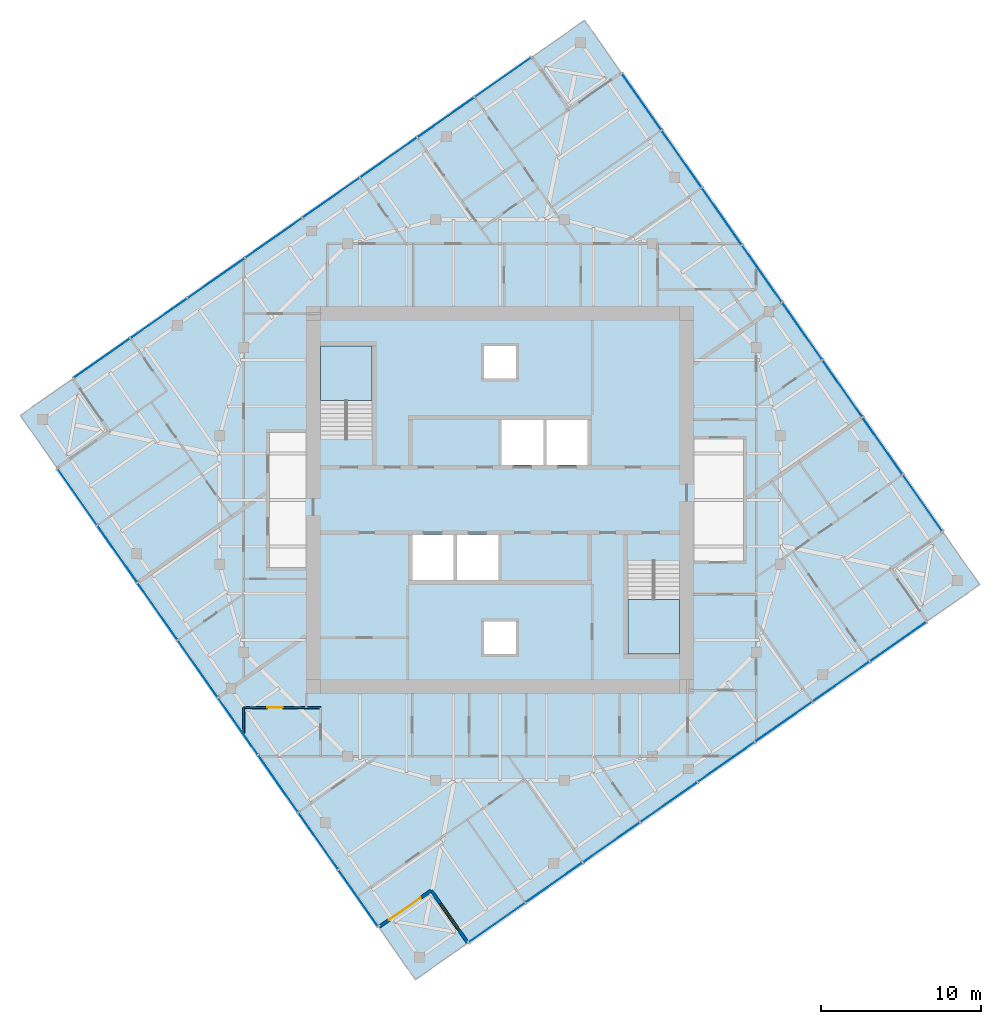
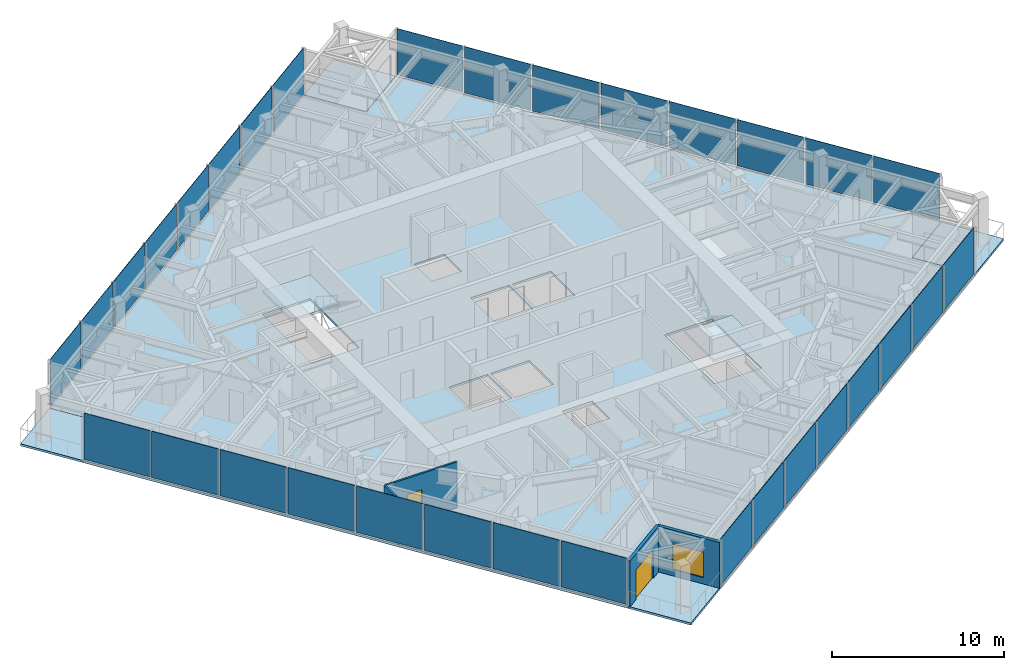
# One storey, part 6 of 12: 32 plates, 7 slabs, 4 walls, 2 doors, 1 window, 3 openings, 6 elements without a shape of their own.
"""IFC4 building model written with IfcOpenShell, lengths in metres."""

from ifc_helpers import new_model, si_unit, direction, frame, frame_2d, origin, origin_2d, place, context, subcontext, project, spatial, polyline, rectangle, outline, extrude, material, layer, layer_set, type_object, element, fill, aggregate, save


model = new_model("IFC4")

# Units and contexts
model_context = context("Model", 3, precision=1e-05, world=origin(), true_north=direction((0.0, 1.0)))
body_context = subcontext(model_context, "Body", "Model", "MODEL_VIEW")
ifc_project = project(units=[si_unit("LENGTHUNIT", "METRE"), si_unit("AREAUNIT", "SQUARE_METRE"), si_unit("VOLUMEUNIT", "CUBIC_METRE"), si_unit("PLANEANGLEUNIT", "RADIAN"), si_unit("MASSUNIT", "GRAM", prefix="KILO")], contexts=[model_context])

# Site, building, storey
site_placement = place(None, origin())
site = spatial("IfcSite", under=ifc_project, at=site_placement, CompositionType="ELEMENT")
building_placement = place(site_placement, origin())
building = spatial("IfcBuilding", under=site, at=building_placement, Name="Torsade Residences", CompositionType="ELEMENT")
storey_placement = place(building_placement, frame((0.0, 0.0, 254.0)))
storey = spatial("IfcBuildingStorey", under=building, at=storey_placement, Name="L70", CompositionType="ELEMENT", Elevation=254.0)

# Slab
ifc_material_1 = material(Name="Concrete 40 MPa", Category="concrete")
ifc_layer_1 = layer(ifc_material_1, 0.14990234375)
ifc_layer_set_1 = layer_set([ifc_layer_1], Name="Concrete 40 MPa")
slab_type_1 = type_object("IfcSlabType", Name="COMPOSITE FLOOR SLAB 150", PredefinedType="FLOOR", material=ifc_layer_set_1)
slab_1_placement = place(storey_placement, frame((0.0, 0.0, -0.14990234375)))
element("IfcSlab", 1, at=slab_1_placement, inside=storey, type_object=slab_type_1, Name="Floor slab L70", PredefinedType="FLOOR", context=body_context, shape_type="SweptSolid", body=[
    extrude(outline(polyline([(37.996826171875, 2.3505859375), (66.6669921875, 22.42578125), (64.372802734375, 25.702392578125), (67.6494140625, 27.996826171875), (47.57421875, 56.6669921875), (44.297607421875, 54.372802734375), (42.003173828125, 57.6494140625), (13.3330078125, 37.57421875), (15.627197265625, 34.297607421875), (12.3505859375, 32.003173828125), (32.42578125, 3.3330078125), (35.702392578125, 5.627197265625), (37.996826171875, 2.3505859375)]), holes=[polyline([(51.199951171875, 26.1201171875), (48.0, 26.1201171875), (48.0, 20.39990234375), (51.199951171875, 20.39990234375), (51.199951171875, 26.1201171875)]), polyline([(45.5, 35.0), (42.89990234375, 35.0), (42.89990234375, 32.199951171875), (45.5, 32.199951171875), (45.5, 35.0)]), polyline([(42.699951171875, 35.0), (40.10009765625, 35.0), (40.10009765625, 32.199951171875), (42.699951171875, 32.199951171875), (42.699951171875, 35.0)]), polyline([(41.0, 22.39990234375), (39.0, 22.39990234375), (39.0, 20.39990234375), (41.0, 20.39990234375), (41.0, 22.39990234375)]), polyline([(41.0, 39.60009765625), (39.0, 39.60009765625), (39.0, 37.60009765625), (41.0, 37.60009765625), (41.0, 39.60009765625)]), polyline([(39.89990234375, 27.800048828125), (37.300048828125, 27.800048828125), (37.300048828125, 25.0), (39.89990234375, 25.0), (39.89990234375, 27.800048828125)]), polyline([(37.10009765625, 27.800048828125), (34.5, 27.800048828125), (34.5, 25.0), (37.10009765625, 25.0), (37.10009765625, 27.800048828125)]), polyline([(32.0, 39.60009765625), (28.800048828125, 39.60009765625), (28.800048828125, 33.8798828125), (32.0, 33.8798828125), (32.0, 39.60009765625)])]), origin(), (0.0, 0.0, 1.0), 0.14990234375),
])

# Curtain wall, plates
ifc_material_2 = material(Name="Aluminium and glass", Category="aluminium")
curtain_wall_type = type_object("IfcCurtainWallType", Name="FRITTED GLASS CURTAIN WALL HIGH ZONE", PredefinedType="NOTDEFINED", material=ifc_material_2)
curtain_wall_1_placement = place(storey_placement, origin())
curtain_wall_1 = element("IfcCurtainWall", 2, at=curtain_wall_1_placement, inside=storey, type_object=curtain_wall_type, Name="Curtain wall L70 face 1", PredefinedType="NOTDEFINED")
ifc_material_3 = material(Name="Laminated glass", Category="glass")
ifc_layer_2 = layer(ifc_material_3, 0.031982421875)
ifc_layer_set_2 = layer_set([ifc_layer_2], Name="Laminated glass")
plate_type_1 = type_object("IfcPlateType", Name="FRITTED GLASS PANEL", PredefinedType="CURTAIN_PANEL", material=ifc_layer_set_2)
plate_1_placement = place(storey_placement, frame((39.80908203125, 3.61962890625, 0.1201171875), z_axis=(0.0, 0.0, 1.0), x_axis=(0.819152029353, 0.573576457682, 0.0)))
plate_1 = element("IfcPlate", 3, at=plate_1_placement, type_object=plate_type_1, Name="Panel 1", PredefinedType="CURTAIN_PANEL", context=body_context, shape_type="SweptSolid", body=[
    extrude(rectangle(XDim=4.22509765625, YDim=0.031982421875, at=origin_2d()), origin(), (0.0, 0.0, 1.0), 3.280029296875),
])
plate_2_placement = place(storey_placement, frame((46.956298828125, 8.6240234375, 0.1201171875), z_axis=(0.0, 0.0, 1.0), x_axis=(0.819152029353, 0.573576457682, 0.0)))
plate_2 = element("IfcPlate", 4, at=plate_2_placement, type_object=plate_type_1, Name="Panel 3", PredefinedType="CURTAIN_PANEL", context=body_context, shape_type="SweptSolid", body=[
    extrude(rectangle(XDim=4.27490234375, YDim=0.031982421875, at=origin_2d()), origin(), (0.0, 0.0, 1.0), 3.280029296875),
])
plate_3_placement = place(storey_placement, frame((50.5400390625, 11.133544921875, 0.1201171875), z_axis=(0.0, 0.0, 1.0), x_axis=(0.819152029353, 0.573576457682, 0.0)))
plate_3 = element("IfcPlate", 5, at=plate_3_placement, type_object=plate_type_1, Name="Panel 4", PredefinedType="CURTAIN_PANEL", context=body_context, shape_type="SweptSolid", body=[
    extrude(rectangle(XDim=4.27490234375, YDim=0.031982421875, at=origin_2d()), origin(), (0.0, 0.0, 1.0), 3.280029296875),
])
plate_4_placement = place(storey_placement, frame((54.123779296875, 13.642822265625, 0.1201171875), z_axis=(0.0, 0.0, 1.0), x_axis=(0.819152029353, 0.573576457682, 0.0)))
plate_4 = element("IfcPlate", 6, at=plate_4_placement, type_object=plate_type_1, Name="Panel 5", PredefinedType="CURTAIN_PANEL", context=body_context, shape_type="SweptSolid", body=[
    extrude(rectangle(XDim=4.27490234375, YDim=0.031982421875, at=origin_2d()), origin(), (0.0, 0.0, 1.0), 3.280029296875),
])
plate_5_placement = place(storey_placement, frame((61.291259765625, 18.66162109375, 0.1201171875), z_axis=(0.0, 0.0, 1.0), x_axis=(0.819152029353, 0.573576457682, 0.0)))
plate_5 = element("IfcPlate", 7, at=plate_5_placement, type_object=plate_type_1, Name="Panel 7", PredefinedType="CURTAIN_PANEL", context=body_context, shape_type="SweptSolid", body=[
    extrude(rectangle(XDim=4.27490234375, YDim=0.031982421875, at=origin_2d()), origin(), (0.0, 0.0, 1.0), 3.280029296875),
])
plate_6_placement = place(storey_placement, frame((64.854736328125, 21.15673828125, 0.1201171875), z_axis=(0.0, 0.0, 1.0), x_axis=(0.819152029353, 0.573576457682, 0.0)))
plate_6 = element("IfcPlate", 8, at=plate_6_placement, type_object=plate_type_1, Name="Panel 8", PredefinedType="CURTAIN_PANEL", context=body_context, shape_type="SweptSolid", body=[
    extrude(rectangle(XDim=4.22509765625, YDim=0.031982421875, at=origin_2d()), origin(), (0.0, 0.0, 1.0), 3.280029296875),
])

curtain_wall_2_placement = place(storey_placement, origin())
curtain_wall_2 = element("IfcCurtainWall", 9, at=curtain_wall_2_placement, inside=storey, type_object=curtain_wall_type, Name="Curtain wall L70 face 4", PredefinedType="NOTDEFINED")
plate_7_placement = place(storey_placement, frame((66.38037109375, 29.80908203125, 0.1201171875), z_axis=(0.0, 0.0, 1.0), x_axis=(-0.573576457682, 0.819152029353, 0.0)))
plate_7 = element("IfcPlate", 10, at=plate_7_placement, type_object=plate_type_1, Name="Panel 1", PredefinedType="CURTAIN_PANEL", context=body_context, shape_type="SweptSolid", body=[
    extrude(rectangle(XDim=4.22509765625, YDim=0.031982421875, at=origin_2d()), origin(), (0.0, 0.0, 1.0), 3.280029296875),
])
plate_8_placement = place(storey_placement, frame((61.3759765625, 36.956298828125, 0.1201171875), z_axis=(0.0, 0.0, 1.0), x_axis=(-0.573576457682, 0.819152029353, 0.0)))
plate_8 = element("IfcPlate", 11, at=plate_8_placement, type_object=plate_type_1, Name="Panel 3", PredefinedType="CURTAIN_PANEL", context=body_context, shape_type="SweptSolid", body=[
    extrude(rectangle(XDim=4.27490234375, YDim=0.031982421875, at=origin_2d()), origin(), (0.0, 0.0, 1.0), 3.280029296875),
])
plate_9_placement = place(storey_placement, frame((58.866455078125, 40.5400390625, 0.1201171875), z_axis=(0.0, 0.0, 1.0), x_axis=(-0.573576457682, 0.819152029353, 0.0)))
plate_9 = element("IfcPlate", 12, at=plate_9_placement, type_object=plate_type_1, Name="Panel 4", PredefinedType="CURTAIN_PANEL", context=body_context, shape_type="SweptSolid", body=[
    extrude(rectangle(XDim=4.27490234375, YDim=0.031982421875, at=origin_2d()), origin(), (0.0, 0.0, 1.0), 3.280029296875),
])
plate_10_placement = place(storey_placement, frame((56.357177734375, 44.123779296875, 0.1201171875), z_axis=(0.0, 0.0, 1.0), x_axis=(-0.573576457682, 0.819152029353, 0.0)))
plate_10 = element("IfcPlate", 13, at=plate_10_placement, type_object=plate_type_1, Name="Panel 5", PredefinedType="CURTAIN_PANEL", context=body_context, shape_type="SweptSolid", body=[
    extrude(rectangle(XDim=4.27490234375, YDim=0.031982421875, at=origin_2d()), origin(), (0.0, 0.0, 1.0), 3.280029296875),
])
plate_11_placement = place(storey_placement, frame((51.33837890625, 51.291259765625, 0.1201171875), z_axis=(0.0, 0.0, 1.0), x_axis=(-0.573576457682, 0.819152029353, 0.0)))
plate_11 = element("IfcPlate", 14, at=plate_11_placement, type_object=plate_type_1, Name="Panel 7", PredefinedType="CURTAIN_PANEL", context=body_context, shape_type="SweptSolid", body=[
    extrude(rectangle(XDim=4.27490234375, YDim=0.031982421875, at=origin_2d()), origin(), (0.0, 0.0, 1.0), 3.280029296875),
])
plate_12_placement = place(storey_placement, frame((48.84326171875, 54.854736328125, 0.1201171875), z_axis=(0.0, 0.0, 1.0), x_axis=(-0.573576457682, 0.819152029353, 0.0)))
plate_12 = element("IfcPlate", 15, at=plate_12_placement, type_object=plate_type_1, Name="Panel 8", PredefinedType="CURTAIN_PANEL", context=body_context, shape_type="SweptSolid", body=[
    extrude(rectangle(XDim=4.22509765625, YDim=0.031982421875, at=origin_2d()), origin(), (0.0, 0.0, 1.0), 3.280029296875),
])

curtain_wall_3_placement = place(storey_placement, origin())
curtain_wall_3 = element("IfcCurtainWall", 16, at=curtain_wall_3_placement, inside=storey, type_object=curtain_wall_type, Name="Curtain wall L70 face 7", PredefinedType="NOTDEFINED")
plate_13_placement = place(storey_placement, frame((40.19091796875, 56.38037109375, 0.1201171875), z_axis=(0.0, 0.0, 1.0), x_axis=(-0.819152029353, -0.573576457682, 0.0)))
plate_13 = element("IfcPlate", 17, at=plate_13_placement, type_object=plate_type_1, Name="Panel 1", PredefinedType="CURTAIN_PANEL", context=body_context, shape_type="SweptSolid", body=[
    extrude(rectangle(XDim=4.22509765625, YDim=0.031982421875, at=origin_2d()), origin(), (0.0, 0.0, 1.0), 3.280029296875),
])
plate_14_placement = place(storey_placement, frame((33.043701171875, 51.3759765625, 0.1201171875), z_axis=(0.0, 0.0, 1.0), x_axis=(-0.819152029353, -0.573576457682, 0.0)))
plate_14 = element("IfcPlate", 18, at=plate_14_placement, type_object=plate_type_1, Name="Panel 3", PredefinedType="CURTAIN_PANEL", context=body_context, shape_type="SweptSolid", body=[
    extrude(rectangle(XDim=4.27490234375, YDim=0.031982421875, at=origin_2d()), origin(), (0.0, 0.0, 1.0), 3.280029296875),
])
plate_15_placement = place(storey_placement, frame((29.4599609375, 48.866455078125, 0.1201171875), z_axis=(0.0, 0.0, 1.0), x_axis=(-0.819152029353, -0.573576457682, 0.0)))
plate_15 = element("IfcPlate", 19, at=plate_15_placement, type_object=plate_type_1, Name="Panel 4", PredefinedType="CURTAIN_PANEL", context=body_context, shape_type="SweptSolid", body=[
    extrude(rectangle(XDim=4.27490234375, YDim=0.031982421875, at=origin_2d()), origin(), (0.0, 0.0, 1.0), 3.280029296875),
])
plate_16_placement = place(storey_placement, frame((25.876220703125, 46.357177734375, 0.1201171875), z_axis=(0.0, 0.0, 1.0), x_axis=(-0.819152029353, -0.573576457682, 0.0)))
plate_16 = element("IfcPlate", 20, at=plate_16_placement, type_object=plate_type_1, Name="Panel 5", PredefinedType="CURTAIN_PANEL", context=body_context, shape_type="SweptSolid", body=[
    extrude(rectangle(XDim=4.27490234375, YDim=0.031982421875, at=origin_2d()), origin(), (0.0, 0.0, 1.0), 3.280029296875),
])
plate_17_placement = place(storey_placement, frame((18.708740234375, 41.33837890625, 0.1201171875), z_axis=(0.0, 0.0, 1.0), x_axis=(-0.819152029353, -0.573576457682, 0.0)))
plate_17 = element("IfcPlate", 21, at=plate_17_placement, type_object=plate_type_1, Name="Panel 7", PredefinedType="CURTAIN_PANEL", context=body_context, shape_type="SweptSolid", body=[
    extrude(rectangle(XDim=4.27490234375, YDim=0.031982421875, at=origin_2d()), origin(), (0.0, 0.0, 1.0), 3.280029296875),
])
plate_18_placement = place(storey_placement, frame((15.145263671875, 38.84326171875, 0.1201171875), z_axis=(0.0, 0.0, 1.0), x_axis=(-0.819152029353, -0.573576457682, 0.0)))
plate_18 = element("IfcPlate", 22, at=plate_18_placement, type_object=plate_type_1, Name="Panel 8", PredefinedType="CURTAIN_PANEL", context=body_context, shape_type="SweptSolid", body=[
    extrude(rectangle(XDim=4.22509765625, YDim=0.031982421875, at=origin_2d()), origin(), (0.0, 0.0, 1.0), 3.280029296875),
])

curtain_wall_4_placement = place(storey_placement, origin())
curtain_wall_4 = element("IfcCurtainWall", 23, at=curtain_wall_4_placement, inside=storey, type_object=curtain_wall_type, Name="Curtain wall L70 face 10", PredefinedType="NOTDEFINED")
plate_19_placement = place(storey_placement, frame((13.61962890625, 30.19091796875, 0.1201171875), z_axis=(0.0, 0.0, 1.0), x_axis=(0.573576457682, -0.819152029353, 0.0)))
plate_19 = element("IfcPlate", 24, at=plate_19_placement, type_object=plate_type_1, Name="Panel 1", PredefinedType="CURTAIN_PANEL", context=body_context, shape_type="SweptSolid", body=[
    extrude(rectangle(XDim=4.22509765625, YDim=0.031982421875, at=origin_2d()), origin(), (0.0, 0.0, 1.0), 3.280029296875),
])
plate_20_placement = place(storey_placement, frame((18.6240234375, 23.043701171875, 0.1201171875), z_axis=(0.0, 0.0, 1.0), x_axis=(0.573576457682, -0.819152029353, 0.0)))
plate_20 = element("IfcPlate", 25, at=plate_20_placement, type_object=plate_type_1, Name="Panel 3", PredefinedType="CURTAIN_PANEL", context=body_context, shape_type="SweptSolid", body=[
    extrude(rectangle(XDim=4.27490234375, YDim=0.031982421875, at=origin_2d()), origin(), (0.0, 0.0, 1.0), 3.280029296875),
])
plate_21_placement = place(storey_placement, frame((21.133544921875, 19.4599609375, 0.1201171875), z_axis=(0.0, 0.0, 1.0), x_axis=(0.573576457682, -0.819152029353, 0.0)))
plate_21 = element("IfcPlate", 26, at=plate_21_placement, type_object=plate_type_1, Name="Panel 4", PredefinedType="CURTAIN_PANEL", context=body_context, shape_type="SweptSolid", body=[
    extrude(rectangle(XDim=4.27490234375, YDim=0.031982421875, at=origin_2d()), origin(), (0.0, 0.0, 1.0), 3.280029296875),
])
plate_22_placement = place(storey_placement, frame((23.642822265625, 15.876220703125, 0.1201171875), z_axis=(0.0, 0.0, 1.0), x_axis=(0.573576457682, -0.819152029353, 0.0)))
plate_22 = element("IfcPlate", 27, at=plate_22_placement, type_object=plate_type_1, Name="Panel 5", PredefinedType="CURTAIN_PANEL", context=body_context, shape_type="SweptSolid", body=[
    extrude(rectangle(XDim=4.27490234375, YDim=0.031982421875, at=origin_2d()), origin(), (0.0, 0.0, 1.0), 3.280029296875),
])
plate_23_placement = place(storey_placement, frame((28.66162109375, 8.708740234375, 0.1201171875), z_axis=(0.0, 0.0, 1.0), x_axis=(0.573576457682, -0.819152029353, 0.0)))
plate_23 = element("IfcPlate", 28, at=plate_23_placement, type_object=plate_type_1, Name="Panel 7", PredefinedType="CURTAIN_PANEL", context=body_context, shape_type="SweptSolid", body=[
    extrude(rectangle(XDim=4.27490234375, YDim=0.031982421875, at=origin_2d()), origin(), (0.0, 0.0, 1.0), 3.280029296875),
])
plate_24_placement = place(storey_placement, frame((31.15673828125, 5.145263671875, 0.1201171875), z_axis=(0.0, 0.0, 1.0), x_axis=(0.573576457682, -0.819152029353, 0.0)))
plate_24 = element("IfcPlate", 29, at=plate_24_placement, type_object=plate_type_1, Name="Panel 8", PredefinedType="CURTAIN_PANEL", context=body_context, shape_type="SweptSolid", body=[
    extrude(rectangle(XDim=4.22509765625, YDim=0.031982421875, at=origin_2d()), origin(), (0.0, 0.0, 1.0), 3.280029296875),
])

# Plate
ifc_material_4 = material(Name="Laminated glass", Category="glass")
ifc_layer_3 = layer(ifc_material_4, 0.0400390625)
ifc_layer_set_3 = layer_set([ifc_layer_3], Name="Laminated glass")
plate_type_2 = type_object("IfcPlateType", Name="OPERABLE VENT PANEL", PredefinedType="CURTAIN_PANEL", material=ifc_layer_set_3)
plate_25_placement = place(storey_placement, frame((43.372314453125, 6.11474609375, 0.1201171875), z_axis=(0.0, 0.0, 1.0), x_axis=(0.819152029353, 0.573576457682, 0.0)))
plate_25 = element("IfcPlate", 30, at=plate_25_placement, type_object=plate_type_2, Name="Panel 2", PredefinedType="CURTAIN_PANEL", context=body_context, shape_type="SweptSolid", body=[
    extrude(rectangle(XDim=4.27490234375, YDim=0.0400390625, at=origin_2d()), origin(), (0.0, 0.0, 1.0), 3.280029296875),
])

plate_26_placement = place(storey_placement, frame((57.70751953125, 16.15234375, 0.1201171875), z_axis=(0.0, 0.0, 1.0), x_axis=(0.819152029353, 0.573576457682, 0.0)))
plate_26 = element("IfcPlate", 31, at=plate_26_placement, type_object=plate_type_2, Name="Panel 6", PredefinedType="CURTAIN_PANEL", context=body_context, shape_type="SweptSolid", body=[
    extrude(rectangle(XDim=4.27490234375, YDim=0.0400390625, at=origin_2d()), origin(), (0.0, 0.0, 1.0), 3.280029296875),
])

aggregate(curtain_wall_1, [plate_1, plate_25, plate_2, plate_3, plate_4, plate_26, plate_5, plate_6])

plate_27_placement = place(storey_placement, frame((63.88525390625, 33.372314453125, 0.1201171875), z_axis=(0.0, 0.0, 1.0), x_axis=(-0.573576457682, 0.819152029353, 0.0)))
plate_27 = element("IfcPlate", 32, at=plate_27_placement, type_object=plate_type_2, Name="Panel 2", PredefinedType="CURTAIN_PANEL", context=body_context, shape_type="SweptSolid", body=[
    extrude(rectangle(XDim=4.27490234375, YDim=0.0400390625, at=origin_2d()), origin(), (0.0, 0.0, 1.0), 3.280029296875),
])

plate_28_placement = place(storey_placement, frame((53.84765625, 47.70751953125, 0.1201171875), z_axis=(0.0, 0.0, 1.0), x_axis=(-0.573576457682, 0.819152029353, 0.0)))
plate_28 = element("IfcPlate", 33, at=plate_28_placement, type_object=plate_type_2, Name="Panel 6", PredefinedType="CURTAIN_PANEL", context=body_context, shape_type="SweptSolid", body=[
    extrude(rectangle(XDim=4.27490234375, YDim=0.0400390625, at=origin_2d()), origin(), (0.0, 0.0, 1.0), 3.280029296875),
])

aggregate(curtain_wall_2, [plate_7, plate_27, plate_8, plate_9, plate_10, plate_28, plate_11, plate_12])

plate_29_placement = place(storey_placement, frame((36.627685546875, 53.88525390625, 0.1201171875), z_axis=(0.0, 0.0, 1.0), x_axis=(-0.819152029353, -0.573576457682, 0.0)))
plate_29 = element("IfcPlate", 34, at=plate_29_placement, type_object=plate_type_2, Name="Panel 2", PredefinedType="CURTAIN_PANEL", context=body_context, shape_type="SweptSolid", body=[
    extrude(rectangle(XDim=4.27490234375, YDim=0.0400390625, at=origin_2d()), origin(), (0.0, 0.0, 1.0), 3.280029296875),
])

plate_30_placement = place(storey_placement, frame((22.29248046875, 43.84765625, 0.1201171875), z_axis=(0.0, 0.0, 1.0), x_axis=(-0.819152029353, -0.573576457682, 0.0)))
plate_30 = element("IfcPlate", 35, at=plate_30_placement, type_object=plate_type_2, Name="Panel 6", PredefinedType="CURTAIN_PANEL", context=body_context, shape_type="SweptSolid", body=[
    extrude(rectangle(XDim=4.27490234375, YDim=0.0400390625, at=origin_2d()), origin(), (0.0, 0.0, 1.0), 3.280029296875),
])

aggregate(curtain_wall_3, [plate_13, plate_29, plate_14, plate_15, plate_16, plate_30, plate_17, plate_18])

plate_31_placement = place(storey_placement, frame((16.11474609375, 26.627685546875, 0.1201171875), z_axis=(0.0, 0.0, 1.0), x_axis=(0.573576457682, -0.819152029353, 0.0)))
plate_31 = element("IfcPlate", 36, at=plate_31_placement, type_object=plate_type_2, Name="Panel 2", PredefinedType="CURTAIN_PANEL", context=body_context, shape_type="SweptSolid", body=[
    extrude(rectangle(XDim=4.27490234375, YDim=0.0400390625, at=origin_2d()), origin(), (0.0, 0.0, 1.0), 3.280029296875),
])

plate_32_placement = place(storey_placement, frame((26.15234375, 12.29248046875, 0.1201171875), z_axis=(0.0, 0.0, 1.0), x_axis=(0.573576457682, -0.819152029353, 0.0)))
plate_32 = element("IfcPlate", 37, at=plate_32_placement, type_object=plate_type_2, Name="Panel 6", PredefinedType="CURTAIN_PANEL", context=body_context, shape_type="SweptSolid", body=[
    extrude(rectangle(XDim=4.27490234375, YDim=0.0400390625, at=origin_2d()), origin(), (0.0, 0.0, 1.0), 3.280029296875),
])

aggregate(curtain_wall_4, [plate_19, plate_31, plate_20, plate_21, plate_22, plate_32, plate_23, plate_24])

# Stair, slab
ifc_material_5 = material(Name="Precast concrete 40 MPa", Category="concrete")
stair_type = type_object("IfcStairType", Name="HALF-TURN FIRE STAIR 1500x3400", PredefinedType="HALF_TURN_STAIR", material=ifc_material_5)
stair_1_placement = place(storey_placement, origin())
stair_1 = element("IfcStair", 38, at=stair_1_placement, inside=storey, type_object=stair_type, Name="Stair ST1 L70", PredefinedType="HALF_TURN_STAIR")
ifc_material_6 = material(Name="Precast concrete 40 MPa", Category="concrete")
ifc_layer_4 = layer(ifc_material_6, 0.179931640625)
ifc_layer_set_4 = layer_set([ifc_layer_4], Name="Precast concrete 40 MPa")
slab_type_2 = type_object("IfcSlabType", Name="PRECAST STAIR LANDING 180", PredefinedType="LANDING", material=ifc_layer_set_4)
slab_2_placement = place(storey_placement, frame((0.0, 0.0, 1.52001953125)))
slab_2 = element("IfcSlab", 39, at=slab_2_placement, type_object=slab_type_2, Name="ST1 landing 1", PredefinedType="LANDING", context=body_context, shape_type="SweptSolid", body=[
    extrude(outline(polyline([(28.800048828125, 36.2099609375), (32.0, 36.2099609375), (32.0, 39.60009765625), (28.800048828125, 39.60009765625), (28.800048828125, 36.2099609375)])), origin(), (0.0, 0.0, 1.0), 0.179931640625),
])
aggregate(stair_1, [slab_2])

stair_2_placement = place(storey_placement, origin())
stair_2 = element("IfcStair", 40, at=stair_2_placement, inside=storey, type_object=stair_type, Name="Stair ST2 L70", PredefinedType="HALF_TURN_STAIR")
slab_3_placement = place(storey_placement, frame((0.0, 0.0, 1.52001953125)))
slab_3 = element("IfcSlab", 41, at=slab_3_placement, type_object=slab_type_2, Name="ST2 landing 1", PredefinedType="LANDING", context=body_context, shape_type="SweptSolid", body=[
    extrude(outline(polyline([(48.0, 20.39990234375), (51.199951171875, 20.39990234375), (51.199951171875, 23.7900390625), (48.0, 23.7900390625), (48.0, 20.39990234375)])), origin(), (0.0, 0.0, 1.0), 0.179931640625),
])
aggregate(stair_2, [slab_3])

# Slabs
ifc_material_7 = material(Name="Concrete 40 MPa", Category="concrete")
ifc_layer_5 = layer(ifc_material_7, 0.14990234375)
ifc_layer_set_5 = layer_set([ifc_layer_5], Name="Concrete 40 MPa")
slab_type_3 = type_object("IfcSlabType", Name="TERRACE SLAB 150", PredefinedType="FLOOR", material=ifc_layer_set_5)
slab_4_placement = place(storey_placement, frame((0.0, 0.0, -0.14990234375)))
element("IfcSlab", 42, at=slab_4_placement, inside=storey, type_object=slab_type_3, Name="Corner terrace slab SE L70", PredefinedType="FLOOR", context=body_context, shape_type="SweptSolid", body=[
    extrude(outline(polyline([(66.6669921875, 22.42578125), (69.943603515625, 24.72021484375), (67.6494140625, 27.996826171875), (64.372802734375, 25.702392578125), (66.6669921875, 22.42578125)])), origin(), (0.0, 0.0, 1.0), 0.14990234375),
])
slab_5_placement = place(storey_placement, frame((0.0, 0.0, -0.14990234375)))
element("IfcSlab", 43, at=slab_5_placement, inside=storey, type_object=slab_type_3, Name="Corner terrace slab NE L70", PredefinedType="FLOOR", context=body_context, shape_type="SweptSolid", body=[
    extrude(outline(polyline([(44.297607421875, 54.372802734375), (47.57421875, 56.6669921875), (45.27978515625, 59.943603515625), (42.003173828125, 57.6494140625), (44.297607421875, 54.372802734375)])), origin(), (0.0, 0.0, 1.0), 0.14990234375),
])
slab_6_placement = place(storey_placement, frame((0.0, 0.0, -0.14990234375)))
element("IfcSlab", 44, at=slab_6_placement, inside=storey, type_object=slab_type_3, Name="Corner terrace slab NW L70", PredefinedType="FLOOR", context=body_context, shape_type="SweptSolid", body=[
    extrude(outline(polyline([(12.3505859375, 32.003173828125), (15.627197265625, 34.297607421875), (13.3330078125, 37.57421875), (10.056396484375, 35.27978515625), (12.3505859375, 32.003173828125)])), origin(), (0.0, 0.0, 1.0), 0.14990234375),
])
slab_7_placement = place(storey_placement, frame((0.0, 0.0, -0.14990234375)))
element("IfcSlab", 45, at=slab_7_placement, inside=storey, type_object=slab_type_3, Name="Corner terrace slab SW L70", PredefinedType="FLOOR", context=body_context, shape_type="SweptSolid", body=[
    extrude(outline(polyline([(34.72021484375, 0.056396484375), (37.996826171875, 2.3505859375), (35.702392578125, 5.627197265625), (32.42578125, 3.3330078125), (34.72021484375, 0.056396484375)])), origin(), (0.0, 0.0, 1.0), 0.14990234375),
])

# Wall, opening, door
ifc_material_8 = material(Name="Plasterboard on steel stud", Category="steel")
ifc_layer_6 = layer(ifc_material_8, 0.1201171875)
ifc_layer_set_6 = layer_set([ifc_layer_6], Name="Plasterboard on steel stud")
wall_type_1 = type_object("IfcWallType", Name="PARTITION 120", PredefinedType="PARTITIONING", material=ifc_layer_set_6)
wall_1_placement = place(storey_placement, frame((28.80712890625, 17.041259765625, 0.0), z_axis=(0.0, 0.0, 1.0), x_axis=(-1.0, 0.0, 0.0)))
wall_1 = element("IfcWall", 46, at=wall_1_placement, inside=storey, type_object=wall_type_1, Name="Partition L70", PredefinedType="PARTITIONING", context=body_context, shape_type="SweptSolid", body=[
    extrude(rectangle(XDim=4.80712890625, YDim=0.1201171875, at=frame_2d((2.403564453125, 0.0))), origin(), (0.0, 0.0, 1.0), 3.25),
])
opening_1_placement = place(wall_1_placement, frame((2.377197265625, 0.0, 0.0)))
opening_1 = element("IfcOpeningElement", 47, at=opening_1_placement, cuts=wall_1, Name="Opening D05", PredefinedType="OPENING", context=body_context, shape_type="SweptSolid", body=[
    extrude(rectangle(XDim=0.9599609375, YDim=2.10009765625, at=frame_2d((0.47998046875, 1.050048828125))), frame((0.0, 0.070068359375, 0.0), z_axis=(0.0, -1.0, 0.0), x_axis=(1.0, 0.0, 0.0)), (0.0, 0.0, 1.0), 0.14013671875),
])
ifc_material_9 = material(Name="Hollow-core timber door in a steel cavity frame", Category="steel")
door_type_1 = type_object("IfcDoorType", Name="BATHROOM CAVITY SLIDING DOOR 960", OperationType="SLIDING_TO_LEFT", PredefinedType="DOOR", material=ifc_material_9)
door_1_placement = place(opening_1_placement, origin())
door_1 = element("IfcDoor", 48, at=door_1_placement, inside=storey, type_object=door_type_1, Name="Door Dressing room to Bathroom", OperationType="SLIDING_TO_LEFT", OverallHeight=2.10009765625, OverallWidth=0.9599609375, PredefinedType="DOOR", context=body_context, shape_type="SweptSolid", body=[
    extrude(rectangle(XDim=0.9599609375, YDim=2.10009765625, at=frame_2d((0.47998046875, 1.050048828125))), frame((0.0, 0.02490234375, 0.0), z_axis=(0.0, -1.0, 0.0), x_axis=(1.0, 0.0, 0.0)), (0.0, 0.0, 1.0), 0.050048828125),
])
fill(opening_1, door_1)

# Wall
wall_2_placement = place(storey_placement, frame((24.0, 17.041259765625, 0.0), z_axis=(0.0, 0.0, 1.0), x_axis=(0.0, -1.0, 0.0)))
element("IfcWall", 49, at=wall_2_placement, inside=storey, type_object=wall_type_1, Name="Partition L70", PredefinedType="PARTITIONING", context=body_context, shape_type="SweptSolid", body=[
    extrude(rectangle(XDim=1.605224609375, YDim=0.1201171875, at=frame_2d((0.802734375, 0.0))), origin(), (0.0, 0.0, 1.0), 3.25),
])

# Wall, opening, door
ifc_material_10 = material(Name="Stone-faced precast concrete 40 MPa panel", Category="masonry")
ifc_layer_7 = layer(ifc_material_10, 0.199951171875)
ifc_layer_set_7 = layer_set([ifc_layer_7], Name="Stone-faced precast concrete 40 MPa panel")
wall_type_2 = type_object("IfcWallType", Name="TERRACE WALL 200", PredefinedType="SOLIDWALL", material=ifc_layer_set_7)
wall_3_placement = place(storey_placement, frame((32.42578125, 3.3330078125, 0.0), z_axis=(0.0, 0.0, 1.0), x_axis=(0.819165963305, 0.573556557423, 0.0)))
wall_3 = element("IfcWall", 50, at=wall_3_placement, inside=storey, type_object=wall_type_2, Name="Terrace wall L70 11", PredefinedType="SOLIDWALL", context=body_context, shape_type="SweptSolid", body=[
    extrude(rectangle(XDim=4.0, YDim=0.199951171875, at=frame_2d((2.0, 0.0))), origin(), (0.0, 0.0, 1.0), 3.25),
])
opening_2_placement = place(wall_3_placement, frame((0.800048828125, 0.0, 0.0)))
opening_2 = element("IfcOpeningElement", 51, at=opening_2_placement, cuts=wall_3, Name="Opening D10A", PredefinedType="OPENING", context=body_context, shape_type="SweptSolid", body=[
    extrude(rectangle(XDim=2.39990234375, YDim=2.10009765625, at=frame_2d((1.199951171875, 1.050048828125))), frame((0.0, 0.10986328125, 0.0), z_axis=(0.0, -1.0, 0.0), x_axis=(1.0, 0.0, 0.0)), (0.0, 0.0, 1.0), 0.219970703125),
])
ifc_material_11 = material(Name="Aluminium-framed glass door", Category="aluminium")
door_type_2 = type_object("IfcDoorType", Name="TERRACE SLIDING DOOR 2400x2100", OperationType="SLIDING_TO_LEFT", PredefinedType="DOOR", material=ifc_material_11)
door_2_placement = place(opening_2_placement, origin())
door_2 = element("IfcDoor", 52, at=door_2_placement, inside=storey, type_object=door_type_2, Name="Terrace door L70 11", OperationType="SLIDING_TO_LEFT", OverallHeight=2.10009765625, OverallWidth=2.39990234375, PredefinedType="DOOR", context=body_context, shape_type="SweptSolid", body=[
    extrude(rectangle(XDim=2.39990234375, YDim=2.10009765625, at=frame_2d((1.199951171875, 1.050048828125))), frame((0.0, 0.02490234375, 0.0), z_axis=(0.0, -1.0, 0.0), x_axis=(1.0, 0.0, 0.0)), (0.0, 0.0, 1.0), 0.050048828125),
])
fill(opening_2, door_2)

# Wall, opening, window
wall_4_placement = place(storey_placement, frame((35.702392578125, 5.627197265625, 0.0), z_axis=(0.0, 0.0, 1.0), x_axis=(0.573597512525, -0.819137286189, 0.0)))
wall_4 = element("IfcWall", 53, at=wall_4_placement, inside=storey, type_object=wall_type_2, Name="Terrace wall L70 12", PredefinedType="SOLIDWALL", context=body_context, shape_type="SweptSolid", body=[
    extrude(rectangle(XDim=4.0, YDim=0.199951171875, at=frame_2d((2.0, 0.0))), origin(), (0.0, 0.0, 1.0), 3.25),
])
opening_3_placement = place(wall_4_placement, frame((1.0, 0.0, 0.449951171875)))
opening_3 = element("IfcOpeningElement", 54, at=opening_3_placement, cuts=wall_4, Name="Opening W1B", PredefinedType="OPENING", context=body_context, shape_type="SweptSolid", body=[
    extrude(rectangle(XDim=2.0, YDim=1.800048828125, at=frame_2d((1.0, 0.89990234375))), frame((0.0, 0.10986328125, 0.0), z_axis=(0.0, -1.0, 0.0), x_axis=(1.0, 0.0, 0.0)), (0.0, 0.0, 1.0), 0.219970703125),
])
ifc_material_12 = material(Name="Aluminium-framed glass window", Category="aluminium")
window_type = type_object("IfcWindowType", Name="TERRACE WINDOW 2000x1800", PartitioningType="SINGLE_PANEL", PredefinedType="WINDOW", material=ifc_material_12)
window_placement = place(opening_3_placement, origin())
window = element("IfcWindow", 55, at=window_placement, inside=storey, type_object=window_type, Name="Terrace window L70 12", OverallHeight=1.800048828125, OverallWidth=2.0, PartitioningType="SINGLE_PANEL", PredefinedType="WINDOW", context=body_context, shape_type="SweptSolid", body=[
    extrude(rectangle(XDim=2.0, YDim=1.800048828125, at=frame_2d((1.0, 0.89990234375))), frame((0.0, 0.030029296875, 0.0), z_axis=(0.0, -1.0, 0.0), x_axis=(1.0, 0.0, 0.0)), (0.0, 0.0, 1.0), 0.06005859375),
])
fill(opening_3, window)

save(model, "model.ifc")
